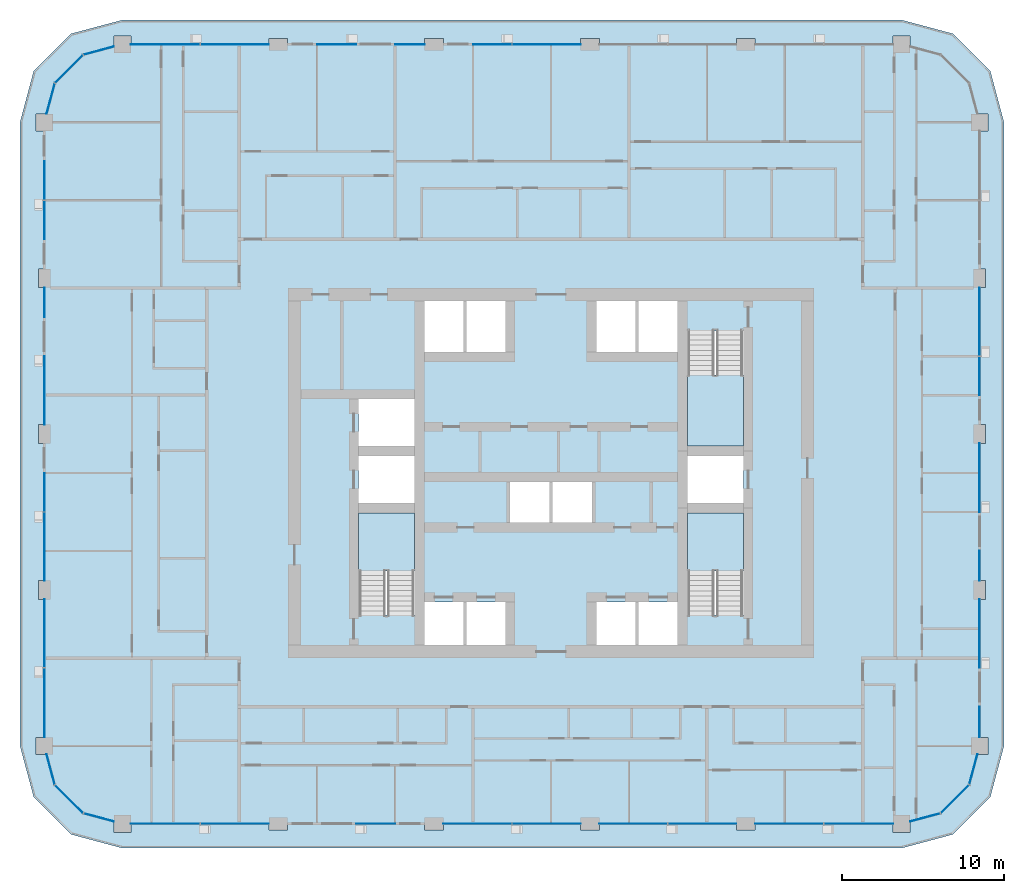
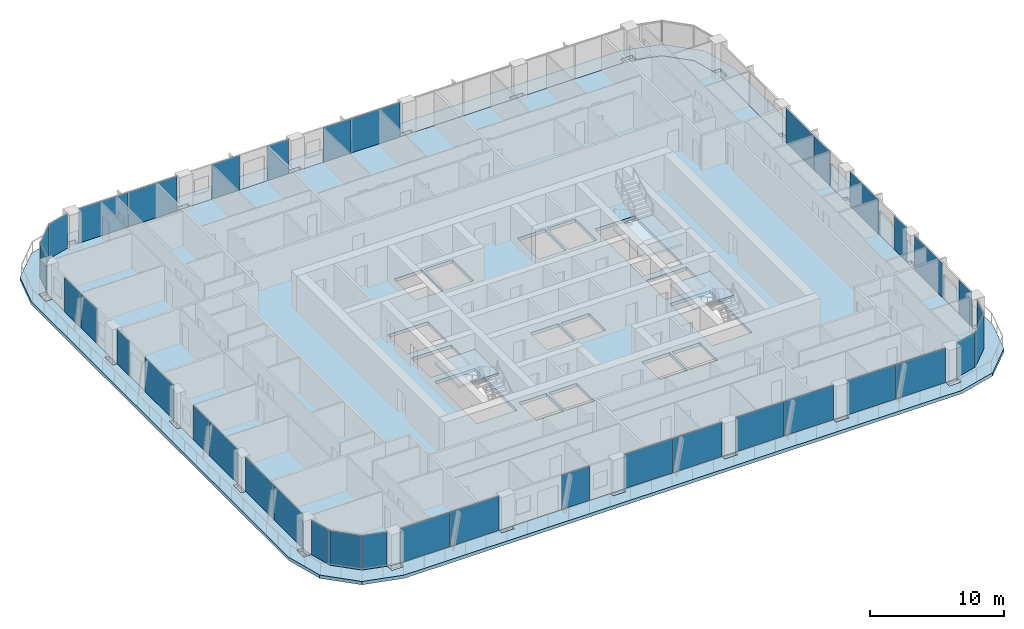
# One storey, part 7 of 22: 38 plates, 5 slabs, 21 elements without a shape of their own.
"""IFC4 building model written with IfcOpenShell, lengths in metres."""

import ifcopenshell
import ifcopenshell.guid

model = None  # the IFC model being written
_history = None  # IfcOwnerHistory: only IFC2X3 demands one
_inside = {}  # id of a spatial element -> (the spatial element, [elements in it])
_under = {}  # id of a project, library or spatial element -> (it, [spatial elements below it])
_declared = {}  # id of a project -> (the project, [libraries it declares])
_typed = {}  # id of a type object -> (the type object, [elements of that type])
_made_of = {}  # id of a material, layer set ... -> (it, [elements and type objects made of it])


def new_model(schema):
    """Start an empty IFC model of exactly this schema.

    Asked for "IFC4X3", IfcOpenShell would pick the latest addendum, in which some entities
    have other attributes; the version numbers below select the first issue.
    IFC2X3 requires an IfcOwnerHistory on every rooted entity: one is made here for all.
    """
    global model, _history
    if schema == "IFC4X3":
        model = ifcopenshell.file(schema_version=(4, 3, 0, 0))
    else:
        model = ifcopenshell.file(schema=schema)
    _inside.clear()
    _under.clear()
    _declared.clear()
    _typed.clear()
    _made_of.clear()
    _history = None
    if model.schema == "IFC2X3":
        org = make("IfcOrganization", Name="unknown")
        user = make(
            "IfcPersonAndOrganization",
            ThePerson=make("IfcPerson", FamilyName="unknown"),
            TheOrganization=org,
        )
        app = make(
            "IfcApplication",
            ApplicationDeveloper=org,
            Version="unknown",
            ApplicationFullName="unknown",
            ApplicationIdentifier="unknown",
        )
        _history = make(
            "IfcOwnerHistory",
            OwningUser=user,
            OwningApplication=app,
            ChangeAction="ADDED",
            CreationDate=0,
        )
    return model


def make(cls, **values):
    """One entity of the class cls with the attributes given. An attribute that is None is left unset."""
    return model.create_entity(
        cls, **{name: value for name, value in values.items() if value is not None}
    )


def rooted(cls, **values):
    """An entity with a GlobalId (a new one), such as an element, a storey or a relation."""
    return make(cls, GlobalId=ifcopenshell.guid.new(), OwnerHistory=_history, **values)


def si_unit(unit_type, name, prefix=None):
    """IfcSIUnit, for example si_unit("LENGTHUNIT", "METRE", prefix="MILLI")."""
    return make("IfcSIUnit", UnitType=unit_type, Prefix=prefix, Name=name)


def assignment(units):
    """IfcUnitAssignment: the units of a project."""
    return None if units is None else make("IfcUnitAssignment", Units=units)


def point(xyz):
    """IfcCartesianPoint."""
    return None if xyz is None else make("IfcCartesianPoint", Coordinates=xyz)


def direction(xyz):
    """IfcDirection."""
    return None if xyz is None else make("IfcDirection", DirectionRatios=xyz)


def frame(location, z_axis=None, x_axis=None):
    """IfcAxis2Placement3D, a coordinate frame: its origin and axes. An axis left out is left unset."""
    return make(
        "IfcAxis2Placement3D",
        Location=point(location),
        Axis=direction(z_axis),
        RefDirection=direction(x_axis),
    )


def frame_2d(location, x_axis=None):
    """IfcAxis2Placement2D, a coordinate frame in the plane: its origin and x axis."""
    return make(
        "IfcAxis2Placement2D", Location=point(location), RefDirection=direction(x_axis)
    )


def origin():
    """The frame at (0, 0, 0) with its axes left unset."""
    return frame((0.0, 0.0, 0.0))


def origin_2d():
    """The frame at (0, 0) in the plane with its x axis left unset."""
    return frame_2d((0.0, 0.0))


def place(relative_to, where):
    """IfcLocalPlacement: puts the frame where relative to a parent placement (None: the world)."""
    return make(
        "IfcLocalPlacement", PlacementRelTo=relative_to, RelativePlacement=where
    )


def context(
    kind, dimensions, precision=None, world=None, true_north=None, identifier=None
):
    """IfcGeometricRepresentationContext, for example the 3D "Model" context."""
    return make(
        "IfcGeometricRepresentationContext",
        ContextIdentifier=identifier,
        ContextType=kind,
        CoordinateSpaceDimension=dimensions,
        Precision=precision,
        WorldCoordinateSystem=world,
        TrueNorth=true_north,
    )


def subcontext(parent, identifier, kind, view, scale=None):
    """IfcGeometricRepresentationSubContext, for example "Body" below "Model"."""
    return make(
        "IfcGeometricRepresentationSubContext",
        ContextIdentifier=identifier,
        ContextType=kind,
        ParentContext=parent,
        TargetScale=scale,
        TargetView=view,
    )


def project(units=None, contexts=None):
    """IfcProject with its units and contexts."""
    return rooted(
        "IfcProject",
        Name="project",
        RepresentationContexts=contexts,
        UnitsInContext=assignment(units),
    )


def spatial(cls, under=None, at=None, **own):
    """A site, building, storey or space (cls), placed at a placement, below another one or the project."""
    s = rooted(cls, ObjectPlacement=at, **own)
    if under is not None:
        _under.setdefault(under.id(), (under, []))[1].append(s)
    return s


def polyline(points):
    """IfcPolyline through the points."""
    return make("IfcPolyline", Points=[point(p) for p in points])


def profile(cls, at=None, kind="AREA", **sizes):
    """A parametric profile (cls). Its sizes go by their IFC names, for example OverallWidth=200.0."""
    return make(cls, ProfileType=kind, Position=at, **sizes)


def rectangle(**sizes):
    """IfcRectangleProfileDef."""
    return profile("IfcRectangleProfileDef", **sizes)


def outline(outer, holes=None, kind="AREA"):
    """IfcArbitraryClosedProfileDef: a profile drawn as a closed curve; with holes, ...WithVoids."""
    if holes is None:
        return make("IfcArbitraryClosedProfileDef", ProfileType=kind, OuterCurve=outer)
    return make(
        "IfcArbitraryProfileDefWithVoids",
        ProfileType=kind,
        OuterCurve=outer,
        InnerCurves=holes,
    )


def extrude(swept, where, along, depth):
    """IfcExtrudedAreaSolid: the profile swept, set in the frame where, extruded along a direction by depth."""
    return make(
        "IfcExtrudedAreaSolid",
        SweptArea=swept,
        Position=where,
        ExtrudedDirection=direction(along),
        Depth=depth,
    )


def shape(context_of_items, identifier, shape_type, items):
    """IfcShapeRepresentation: the items that make up one representation, for example the "Body"."""
    return make(
        "IfcShapeRepresentation",
        ContextOfItems=context_of_items,
        RepresentationIdentifier=identifier,
        RepresentationType=shape_type,
        Items=items,
    )


def material(Name=None, Category=None):
    """IfcMaterial."""
    return make("IfcMaterial", Name=Name, Category=Category)


def layer(
    of_material, thickness, ventilated=None, Name=None, Category=None, Priority=None
):
    """IfcMaterialLayer: one layer of a wall or slab, of a material (None: an air gap)."""
    return make(
        "IfcMaterialLayer",
        Material=of_material,
        LayerThickness=thickness,
        IsVentilated=ventilated,
        Name=Name,
        Category=Category,
        Priority=Priority,
    )


def layer_set(layers, Name=None):
    """IfcMaterialLayerSet."""
    return make("IfcMaterialLayerSet", MaterialLayers=layers, LayerSetName=Name)


def made_of(thing, what):
    """Note that an element or type object is made of a material, layer set ...; save() writes the relation."""
    if what is not None:
        _made_of.setdefault(what.id(), (what, []))[1].append(thing)
    return thing


def type_object(cls, material=None, **own):
    """A type object (cls), such as IfcWallType, which elements share."""
    return made_of(rooted(cls, **own), material)


def element(
    cls,
    number,
    at=None,
    inside=None,
    cuts=None,
    type_object=None,
    material=None,
    context=None,
    identifier="Body",
    shape_type=None,
    held_by="IfcProductDefinitionShape",
    body=None,
    shapes=None,
    **own,
):
    """One element of the class cls, such as IfcWall. Its Tag is "e" and its number.

    at: its placement. inside: the storey or other place that contains it. cuts: it is an
    opening in that element (IfcRelVoidsElement). A single representation is given by context,
    identifier, shape_type and body (its items); several are given by shapes. held_by: the class
    of the entity that holds the representations. save() writes the other relations.
    """
    e = rooted(cls, Tag="e%d" % number, ObjectPlacement=at, **own)
    if body is not None:
        shapes = [shape(context, identifier, shape_type, body)]
    if shapes is not None:
        e.Representation = make(held_by, Representations=shapes)
    if inside is not None:
        _inside.setdefault(inside.id(), (inside, []))[1].append(e)
    if cuts is not None:
        rooted(
            "IfcRelVoidsElement", RelatingBuildingElement=cuts, RelatedOpeningElement=e
        )
    if type_object is not None:
        _typed.setdefault(type_object.id(), (type_object, []))[1].append(e)
    return made_of(e, material)


def aggregate(whole, parts):
    """IfcRelAggregates: a whole, such as a stair, and the parts it consists of."""
    return rooted("IfcRelAggregates", RelatingObject=whole, RelatedObjects=parts)


def save(model, path):
    """Write the relations noted so far, then the file.

    IfcRelAggregates (storeys below a building ...), IfcRelContainedInSpatialStructure (elements
    in a storey), IfcRelDefinesByType, IfcRelAssociatesMaterial and IfcRelDeclares: one each for
    every whole, place, type object, material and project.
    """
    for whole, parts in _under.values():
        aggregate(whole, parts)
    for where, things in _inside.values():
        rooted(
            "IfcRelContainedInSpatialStructure",
            RelatedElements=things,
            RelatingStructure=where,
        )
    for kind, things in _typed.values():
        rooted("IfcRelDefinesByType", RelatedObjects=things, RelatingType=kind)
    for what, things in _made_of.values():
        rooted("IfcRelAssociatesMaterial", RelatedObjects=things, RelatingMaterial=what)
    for by, libraries in _declared.values():
        rooted("IfcRelDeclares", RelatingContext=by, RelatedDefinitions=libraries)
    model.write(path)


model = new_model("IFC4")

# Units and contexts
model_context = context("Model", 3, precision=1e-05, world=origin(), true_north=direction((0.0, 1.0)))
body_context = subcontext(model_context, "Body", "Model", "MODEL_VIEW")
ifc_project = project(units=[si_unit("LENGTHUNIT", "METRE"), si_unit("AREAUNIT", "SQUARE_METRE"), si_unit("VOLUMEUNIT", "CUBIC_METRE"), si_unit("PLANEANGLEUNIT", "RADIAN"), si_unit("MASSUNIT", "GRAM", prefix="KILO")], contexts=[model_context])

# Site, building, storey
site_placement = place(None, origin())
site = spatial("IfcSite", under=ifc_project, at=site_placement, CompositionType="ELEMENT")
building_placement = place(site_placement, origin())
building = spatial("IfcBuilding", under=site, at=building_placement, Name="Madar Terraces", CompositionType="ELEMENT")
storey_placement = place(building_placement, frame((0.0, 0.0, 136.60009765625)))
storey = spatial("IfcBuildingStorey", under=building, at=storey_placement, Name="L35", CompositionType="ELEMENT", Elevation=136.60009765625)

# Slabs
ifc_material_1 = material(Name="Concrete C50/60", Category="concrete")
ifc_layer_1 = layer(ifc_material_1, 0.300048828125)
ifc_layer_set_1 = layer_set([ifc_layer_1], Name="Balcony band 300")
slab_type_1 = type_object("IfcSlabType", Name="Balcony band 300", PredefinedType="FLOOR", material=ifc_layer_set_1)
slab_1_placement = place(storey_placement, frame((0.0, 0.0, -0.300048828125)))
element("IfcSlab", 1, at=slab_1_placement, inside=storey, type_object=slab_type_1, Name="Balcony band", PredefinedType="FLOOR", context=body_context, shape_type="SweptSolid", body=[
    extrude(outline(polyline([(4.800048828125, 3.300048828125), (1.64990234375, 4.14404296875), (-0.656005859375, 6.449951171875), (-1.5, 9.60009765625), (-1.5, 48.0), (-0.656005859375, 51.14990234375), (1.64990234375, 53.4560546875), (4.800048828125, 54.300048828125), (52.800048828125, 54.300048828125), (55.949951171875, 53.4560546875), (58.256103515625, 51.14990234375), (59.10009765625, 48.0), (59.10009765625, 9.60009765625), (58.256103515625, 6.449951171875), (55.949951171875, 4.14404296875), (52.800048828125, 3.300048828125), (4.800048828125, 3.300048828125)]), holes=[polyline([(5.324951171875, 4.27490234375), (5.324951171875, 4.800048828125), (13.824951171875, 4.800048828125), (13.824951171875, 4.425048828125), (14.97509765625, 4.425048828125), (14.97509765625, 4.800048828125), (23.425048828125, 4.800048828125), (23.425048828125, 4.425048828125), (24.574951171875, 4.425048828125), (24.574951171875, 4.800048828125), (33.02490234375, 4.800048828125), (33.02490234375, 4.425048828125), (34.175048828125, 4.425048828125), (34.175048828125, 4.800048828125), (42.625, 4.800048828125), (42.625, 4.425048828125), (43.77490234375, 4.425048828125), (43.77490234375, 4.800048828125), (52.27490234375, 4.800048828125), (52.27490234375, 4.27490234375), (53.324951171875, 4.27490234375), (53.324951171875, 4.940673828125), (55.199951171875, 5.443115234375), (56.956787109375, 7.199951171875), (57.459228515625, 9.074951171875), (58.125, 9.074951171875), (58.125, 10.125), (57.60009765625, 10.125), (57.60009765625, 18.625), (57.97509765625, 18.625), (57.97509765625, 19.77490234375), (57.60009765625, 19.77490234375), (57.60009765625, 28.22509765625), (57.97509765625, 28.22509765625), (57.97509765625, 29.375), (57.60009765625, 29.375), (57.60009765625, 37.824951171875), (57.97509765625, 37.824951171875), (57.97509765625, 38.97509765625), (57.60009765625, 38.97509765625), (57.60009765625, 47.47509765625), (58.125, 47.47509765625), (58.125, 48.52490234375), (57.459228515625, 48.52490234375), (56.956787109375, 50.39990234375), (55.199951171875, 52.156982421875), (53.324951171875, 52.6591796875), (53.324951171875, 53.324951171875), (52.27490234375, 53.324951171875), (52.27490234375, 52.800048828125), (43.77490234375, 52.800048828125), (43.77490234375, 53.175048828125), (42.625, 53.175048828125), (42.625, 52.800048828125), (34.175048828125, 52.800048828125), (34.175048828125, 53.175048828125), (33.02490234375, 53.175048828125), (33.02490234375, 52.800048828125), (24.574951171875, 52.800048828125), (24.574951171875, 53.175048828125), (23.425048828125, 53.175048828125), (23.425048828125, 52.800048828125), (14.97509765625, 52.800048828125), (14.97509765625, 53.175048828125), (13.824951171875, 53.175048828125), (13.824951171875, 52.800048828125), (5.324951171875, 52.800048828125), (5.324951171875, 53.324951171875), (4.27490234375, 53.324951171875), (4.27490234375, 52.6591796875), (2.39990234375, 52.156982421875), (0.64306640625, 50.39990234375), (0.140625, 48.52490234375), (-0.52490234375, 48.52490234375), (-0.52490234375, 47.47509765625), (0.0, 47.47509765625), (0.0, 38.97509765625), (-0.375, 38.97509765625), (-0.375, 37.824951171875), (0.0, 37.824951171875), (0.0, 29.375), (-0.375, 29.375), (-0.375, 28.22509765625), (0.0, 28.22509765625), (0.0, 19.77490234375), (-0.375, 19.77490234375), (-0.375, 18.625), (0.0, 18.625), (0.0, 10.125), (-0.52490234375, 10.125), (-0.52490234375, 9.074951171875), (0.140625, 9.074951171875), (0.64306640625, 7.199951171875), (2.39990234375, 5.443115234375), (4.27490234375, 4.940673828125), (4.27490234375, 4.27490234375), (5.324951171875, 4.27490234375)])]), origin(), (0.0, 0.0, 1.0), 0.300048828125),
])
ifc_material_2 = material(Name="Concrete C50/60", Category="concrete")
ifc_layer_2 = layer(ifc_material_2, 0.300048828125)
ifc_layer_set_2 = layer_set([ifc_layer_2], Name="FS2 PT flat slab 300")
slab_type_2 = type_object("IfcSlabType", Name="FS2 PT flat slab 300", PredefinedType="FLOOR", material=ifc_layer_set_2)
slab_2_placement = place(storey_placement, frame((0.0, 0.0, -0.300048828125)))
element("IfcSlab", 2, at=slab_2_placement, inside=storey, type_object=slab_type_2, Name="Floor slab L35 (1)", PredefinedType="FLOOR", context=body_context, shape_type="SweptSolid", body=[
    extrude(outline(polyline([(52.800048828125, 4.800048828125), (55.199951171875, 5.443115234375), (56.95703125, 7.199951171875), (57.60009765625, 9.60009765625), (57.60009765625, 48.0), (56.95703125, 50.39990234375), (55.199951171875, 52.156982421875), (52.800048828125, 52.800048828125), (4.800048828125, 52.800048828125), (2.39990234375, 52.156982421875), (0.64306640625, 50.39990234375), (0.0, 48.0), (0.0, 9.60009765625), (0.64306640625, 7.199951171875), (2.39990234375, 5.443115234375), (4.800048828125, 4.800048828125), (52.800048828125, 4.800048828125)]), holes=[polyline([(23.39990234375, 15.800048828125), (23.39990234375, 18.449951171875), (25.800048828125, 18.449951171875), (25.800048828125, 15.800048828125), (23.39990234375, 15.800048828125)]), polyline([(26.0, 15.800048828125), (26.0, 18.449951171875), (28.39990234375, 18.449951171875), (28.39990234375, 15.800048828125), (26.0, 15.800048828125)]), polyline([(19.35009765625, 17.64990234375), (19.35009765625, 23.949951171875), (22.800048828125, 23.949951171875), (22.800048828125, 17.64990234375), (19.35009765625, 17.64990234375)]), polyline([(28.666748046875, 23.35009765625), (28.666748046875, 25.85009765625), (31.10009765625, 25.85009765625), (31.10009765625, 23.35009765625), (28.666748046875, 23.35009765625)]), polyline([(19.35009765625, 24.550048828125), (19.35009765625, 27.449951171875), (22.800048828125, 27.449951171875), (22.800048828125, 24.550048828125), (19.35009765625, 24.550048828125)]), polyline([(19.35009765625, 28.050048828125), (19.35009765625, 30.949951171875), (22.800048828125, 30.949951171875), (22.800048828125, 28.050048828125), (19.35009765625, 28.050048828125)]), polyline([(23.39990234375, 33.85009765625), (23.39990234375, 37.0), (25.800048828125, 37.0), (25.800048828125, 33.85009765625), (23.39990234375, 33.85009765625)]), polyline([(26.0, 33.85009765625), (26.0, 37.0), (28.39990234375, 37.0), (28.39990234375, 33.85009765625), (26.0, 33.85009765625)]), polyline([(34.0, 15.800048828125), (34.0, 18.449951171875), (36.39990234375, 18.449951171875), (36.39990234375, 15.800048828125), (34.0, 15.800048828125)]), polyline([(36.60009765625, 15.800048828125), (36.60009765625, 18.449951171875), (39.0, 18.449951171875), (39.0, 15.800048828125), (36.60009765625, 15.800048828125)]), polyline([(39.60009765625, 17.64990234375), (39.60009765625, 23.949951171875), (43.050048828125, 23.949951171875), (43.050048828125, 17.64990234375), (39.60009765625, 17.64990234375)]), polyline([(31.300048828125, 23.35009765625), (31.300048828125, 25.85009765625), (33.7333984375, 25.85009765625), (33.7333984375, 23.35009765625), (31.300048828125, 23.35009765625)]), polyline([(39.60009765625, 24.550048828125), (39.60009765625, 27.449951171875), (43.050048828125, 27.449951171875), (43.050048828125, 24.550048828125), (39.60009765625, 24.550048828125)]), polyline([(39.60009765625, 28.050048828125), (39.60009765625, 35.14990234375), (43.050048828125, 35.14990234375), (43.050048828125, 28.050048828125), (39.60009765625, 28.050048828125)]), polyline([(34.0, 33.85009765625), (34.0, 37.0), (36.39990234375, 37.0), (36.39990234375, 33.85009765625), (34.0, 33.85009765625)]), polyline([(36.60009765625, 33.85009765625), (36.60009765625, 37.0), (39.0, 37.0), (39.0, 33.85009765625), (36.60009765625, 33.85009765625)])]), origin(), (0.0, 0.0, 1.0), 0.300048828125),
])

# Curtain wall, plates
ifc_material_3 = material(Name="Glass, ceramic frit dark grey, with black aluminium frame", Category="aluminium")
ifc_layer_3 = layer(ifc_material_3, 0.199951171875)
ifc_layer_set_3 = layer_set([ifc_layer_3], Name="Facade curtain wall, fritted glass")
curtain_wall_type = type_object("IfcCurtainWallType", Name="Facade curtain wall, fritted glass", PredefinedType="NOTDEFINED", material=ifc_layer_set_3)
curtain_wall_1_placement = place(storey_placement, origin())
curtain_wall_1 = element("IfcCurtainWall", 3, at=curtain_wall_1_placement, inside=storey, type_object=curtain_wall_type, Name="Outer skin curtain wall south bay 1", PredefinedType="NOTDEFINED")
ifc_material_4 = material(Name="Glass, ceramic frit dark grey", Category="glass")
ifc_layer_4 = layer(ifc_material_4, 0.028076171875)
ifc_layer_set_4 = layer_set([ifc_layer_4], Name="Facade glass panel 28")
plate_type = type_object("IfcPlateType", Name="Facade glass panel 28", PredefinedType="CURTAIN_PANEL", material=ifc_layer_set_4)
plate_1_placement = place(storey_placement, frame((7.447509765625, 4.800048828125, 0.0), z_axis=(0.0, 0.0, 1.0), x_axis=(1.0, 0.0, 0.0)))
plate_1 = element("IfcPlate", 4, at=plate_1_placement, type_object=plate_type, Name="Panel 1", PredefinedType="CURTAIN_PANEL", context=body_context, shape_type="SweptSolid", body=[
    extrude(rectangle(XDim=4.2451171875, YDim=0.028076171875, at=origin_2d()), origin(), (0.0, 0.0, 1.0), 3.139892578125),
])
plate_2_placement = place(storey_placement, frame((11.7275390625, 4.800048828125, 0.0), z_axis=(0.0, 0.0, 1.0), x_axis=(1.0, 0.0, 0.0)))
plate_2 = element("IfcPlate", 5, at=plate_2_placement, type_object=plate_type, Name="Panel 2", PredefinedType="CURTAIN_PANEL", context=body_context, shape_type="SweptSolid", body=[
    extrude(rectangle(XDim=4.195068359375, YDim=0.028076171875, at=origin_2d()), origin(), (0.0, 0.0, 1.0), 3.139892578125),
])
aggregate(curtain_wall_1, [plate_1, plate_2])

# Curtain wall, plate
curtain_wall_2_placement = place(storey_placement, origin())
curtain_wall_2 = element("IfcCurtainWall", 6, at=curtain_wall_2_placement, inside=storey, type_object=curtain_wall_type, Name="Outer skin curtain wall south bay 2", PredefinedType="NOTDEFINED")
plate_3_placement = place(storey_placement, frame((20.39990234375, 4.800048828125, 0.0), z_axis=(0.0, 0.0, 1.0), x_axis=(1.0, 0.0, 0.0)))
plate_3 = element("IfcPlate", 7, at=plate_3_placement, type_object=plate_type, Name="Panel 1", PredefinedType="CURTAIN_PANEL", context=body_context, shape_type="SweptSolid", body=[
    extrude(rectangle(XDim=2.39990234375, YDim=0.028076171875, at=origin_2d()), origin(), (0.0, 0.0, 1.0), 3.139892578125),
])
aggregate(curtain_wall_2, [plate_3])

# Curtain wall, plates
curtain_wall_3_placement = place(storey_placement, origin())
curtain_wall_3 = element("IfcCurtainWall", 8, at=curtain_wall_3_placement, inside=storey, type_object=curtain_wall_type, Name="Outer skin curtain wall south bay 3", PredefinedType="NOTDEFINED")
plate_4_placement = place(storey_placement, frame((26.672607421875, 4.800048828125, 0.0), z_axis=(0.0, 0.0, 1.0), x_axis=(1.0, 0.0, 0.0)))
plate_4 = element("IfcPlate", 9, at=plate_4_placement, type_object=plate_type, Name="Panel 1", PredefinedType="CURTAIN_PANEL", context=body_context, shape_type="SweptSolid", body=[
    extrude(rectangle(XDim=4.195068359375, YDim=0.028076171875, at=origin_2d()), origin(), (0.0, 0.0, 1.0), 3.139892578125),
])
plate_5_placement = place(storey_placement, frame((30.927490234375, 4.800048828125, 0.0), z_axis=(0.0, 0.0, 1.0), x_axis=(1.0, 0.0, 0.0)))
plate_5 = element("IfcPlate", 10, at=plate_5_placement, type_object=plate_type, Name="Panel 2", PredefinedType="CURTAIN_PANEL", context=body_context, shape_type="SweptSolid", body=[
    extrude(rectangle(XDim=4.195068359375, YDim=0.028076171875, at=origin_2d()), origin(), (0.0, 0.0, 1.0), 3.139892578125),
])
aggregate(curtain_wall_3, [plate_4, plate_5])

curtain_wall_4_placement = place(storey_placement, origin())
curtain_wall_4 = element("IfcCurtainWall", 11, at=curtain_wall_4_placement, inside=storey, type_object=curtain_wall_type, Name="Outer skin curtain wall south bay 4", PredefinedType="NOTDEFINED")
plate_6_placement = place(storey_placement, frame((36.2724609375, 4.800048828125, 0.0), z_axis=(0.0, 0.0, 1.0), x_axis=(1.0, 0.0, 0.0)))
plate_6 = element("IfcPlate", 12, at=plate_6_placement, type_object=plate_type, Name="Panel 1", PredefinedType="CURTAIN_PANEL", context=body_context, shape_type="SweptSolid", body=[
    extrude(rectangle(XDim=4.195068359375, YDim=0.028076171875, at=origin_2d()), origin(), (0.0, 0.0, 1.0), 3.139892578125),
])
plate_7_placement = place(storey_placement, frame((40.527587890625, 4.800048828125, 0.0), z_axis=(0.0, 0.0, 1.0), x_axis=(1.0, 0.0, 0.0)))
plate_7 = element("IfcPlate", 13, at=plate_7_placement, type_object=plate_type, Name="Panel 2", PredefinedType="CURTAIN_PANEL", context=body_context, shape_type="SweptSolid", body=[
    extrude(rectangle(XDim=4.195068359375, YDim=0.028076171875, at=origin_2d()), origin(), (0.0, 0.0, 1.0), 3.139892578125),
])
aggregate(curtain_wall_4, [plate_6, plate_7])

curtain_wall_5_placement = place(storey_placement, origin())
curtain_wall_5 = element("IfcCurtainWall", 14, at=curtain_wall_5_placement, inside=storey, type_object=curtain_wall_type, Name="Outer skin curtain wall south bay 5", PredefinedType="NOTDEFINED")
plate_8_placement = place(storey_placement, frame((45.87255859375, 4.800048828125, 0.0), z_axis=(0.0, 0.0, 1.0), x_axis=(1.0, 0.0, 0.0)))
plate_8 = element("IfcPlate", 15, at=plate_8_placement, type_object=plate_type, Name="Panel 1", PredefinedType="CURTAIN_PANEL", context=body_context, shape_type="SweptSolid", body=[
    extrude(rectangle(XDim=4.195068359375, YDim=0.028076171875, at=origin_2d()), origin(), (0.0, 0.0, 1.0), 3.139892578125),
])
plate_9_placement = place(storey_placement, frame((50.152587890625, 4.800048828125, 0.0), z_axis=(0.0, 0.0, 1.0), x_axis=(1.0, 0.0, 0.0)))
plate_9 = element("IfcPlate", 16, at=plate_9_placement, type_object=plate_type, Name="Panel 2", PredefinedType="CURTAIN_PANEL", context=body_context, shape_type="SweptSolid", body=[
    extrude(rectangle(XDim=4.2451171875, YDim=0.028076171875, at=origin_2d()), origin(), (0.0, 0.0, 1.0), 3.139892578125),
])
aggregate(curtain_wall_5, [plate_8, plate_9])

curtain_wall_6_placement = place(storey_placement, origin())
curtain_wall_6 = element("IfcCurtainWall", 17, at=curtain_wall_6_placement, inside=storey, type_object=curtain_wall_type, Name="Outer skin curtain wall east bay 1", PredefinedType="NOTDEFINED")
plate_10_placement = place(storey_placement, frame((57.60009765625, 11.0625, 0.0), z_axis=(0.0, 0.0, 1.0), x_axis=(0.0, 1.0, 0.0)))
plate_10 = element("IfcPlate", 18, at=plate_10_placement, type_object=plate_type, Name="Panel 1", PredefinedType="CURTAIN_PANEL", context=body_context, shape_type="SweptSolid", body=[
    extrude(rectangle(XDim=1.875, YDim=0.028076171875, at=origin_2d()), origin(), (0.0, 0.0, 1.0), 3.139892578125),
])
plate_11_placement = place(storey_placement, frame((57.60009765625, 16.512451171875, 0.0), z_axis=(0.0, 0.0, 1.0), x_axis=(0.0, 1.0, 0.0)))
plate_11 = element("IfcPlate", 19, at=plate_11_placement, type_object=plate_type, Name="Panel 2", PredefinedType="CURTAIN_PANEL", context=body_context, shape_type="SweptSolid", body=[
    extrude(rectangle(XDim=4.22509765625, YDim=0.028076171875, at=origin_2d()), origin(), (0.0, 0.0, 1.0), 3.139892578125),
])
aggregate(curtain_wall_6, [plate_10, plate_11])

curtain_wall_7_placement = place(storey_placement, origin())
curtain_wall_7 = element("IfcCurtainWall", 20, at=curtain_wall_7_placement, inside=storey, type_object=curtain_wall_type, Name="Outer skin curtain wall east bay 2", PredefinedType="NOTDEFINED")
plate_12_placement = place(storey_placement, frame((57.60009765625, 20.6875, 0.0), z_axis=(0.0, 0.0, 1.0), x_axis=(0.0, 1.0, 0.0)))
plate_12 = element("IfcPlate", 21, at=plate_12_placement, type_object=plate_type, Name="Panel 1", PredefinedType="CURTAIN_PANEL", context=body_context, shape_type="SweptSolid", body=[
    extrude(rectangle(XDim=1.824951171875, YDim=0.028076171875, at=origin_2d()), origin(), (0.0, 0.0, 1.0), 3.139892578125),
])
plate_13_placement = place(storey_placement, frame((57.60009765625, 26.112548828125, 0.0), z_axis=(0.0, 0.0, 1.0), x_axis=(0.0, 1.0, 0.0)))
plate_13 = element("IfcPlate", 22, at=plate_13_placement, type_object=plate_type, Name="Panel 2", PredefinedType="CURTAIN_PANEL", context=body_context, shape_type="SweptSolid", body=[
    extrude(rectangle(XDim=4.22509765625, YDim=0.028076171875, at=origin_2d()), origin(), (0.0, 0.0, 1.0), 3.139892578125),
])
aggregate(curtain_wall_7, [plate_12, plate_13])

curtain_wall_8_placement = place(storey_placement, origin())
curtain_wall_8 = element("IfcCurtainWall", 23, at=curtain_wall_8_placement, inside=storey, type_object=curtain_wall_type, Name="Outer skin curtain wall east bay 3", PredefinedType="NOTDEFINED")
plate_14_placement = place(storey_placement, frame((57.60009765625, 32.385009765625, 0.0), z_axis=(0.0, 0.0, 1.0), x_axis=(0.0, 1.0, 0.0)))
plate_14 = element("IfcPlate", 24, at=plate_14_placement, type_object=plate_type, Name="Panel 1", PredefinedType="CURTAIN_PANEL", context=body_context, shape_type="SweptSolid", body=[
    extrude(rectangle(XDim=2.3701171875, YDim=0.028076171875, at=origin_2d()), origin(), (0.0, 0.0, 1.0), 3.139892578125),
])
plate_15_placement = place(storey_placement, frame((57.60009765625, 35.7275390625, 0.0), z_axis=(0.0, 0.0, 1.0), x_axis=(0.0, 1.0, 0.0)))
plate_15 = element("IfcPlate", 25, at=plate_15_placement, type_object=plate_type, Name="Panel 2", PredefinedType="CURTAIN_PANEL", context=body_context, shape_type="SweptSolid", body=[
    extrude(rectangle(XDim=4.195068359375, YDim=0.028076171875, at=origin_2d()), origin(), (0.0, 0.0, 1.0), 3.139892578125),
])
aggregate(curtain_wall_8, [plate_14, plate_15])

curtain_wall_9_placement = place(storey_placement, origin())
curtain_wall_9 = element("IfcCurtainWall", 26, at=curtain_wall_9_placement, inside=storey, type_object=curtain_wall_type, Name="Outer skin curtain wall north bay 3", PredefinedType="NOTDEFINED")
plate_16_placement = place(storey_placement, frame((30.927490234375, 52.800048828125, 0.0), z_axis=(0.0, 0.0, 1.0), x_axis=(-1.0, 0.0, 0.0)))
plate_16 = element("IfcPlate", 27, at=plate_16_placement, type_object=plate_type, Name="Panel 1", PredefinedType="CURTAIN_PANEL", context=body_context, shape_type="SweptSolid", body=[
    extrude(rectangle(XDim=4.195068359375, YDim=0.028076171875, at=origin_2d()), origin(), (0.0, 0.0, 1.0), 3.139892578125),
])
plate_17_placement = place(storey_placement, frame((27.5849609375, 52.800048828125, 0.0), z_axis=(0.0, 0.0, 1.0), x_axis=(-1.0, 0.0, 0.0)))
plate_17 = element("IfcPlate", 28, at=plate_17_placement, type_object=plate_type, Name="Panel 2", PredefinedType="CURTAIN_PANEL", context=body_context, shape_type="SweptSolid", body=[
    extrude(rectangle(XDim=2.3701171875, YDim=0.028076171875, at=origin_2d()), origin(), (0.0, 0.0, 1.0), 3.139892578125),
])
aggregate(curtain_wall_9, [plate_16, plate_17])

curtain_wall_10_placement = place(storey_placement, origin())
curtain_wall_10 = element("IfcCurtainWall", 29, at=curtain_wall_10_placement, inside=storey, type_object=curtain_wall_type, Name="Outer skin curtain wall north bay 4", PredefinedType="NOTDEFINED")
plate_18_placement = place(storey_placement, frame((22.512451171875, 52.800048828125, 0.0), z_axis=(0.0, 0.0, 1.0), x_axis=(-1.0, 0.0, 0.0)))
plate_18 = element("IfcPlate", 30, at=plate_18_placement, type_object=plate_type, Name="Panel 1", PredefinedType="CURTAIN_PANEL", context=body_context, shape_type="SweptSolid", body=[
    extrude(rectangle(XDim=1.824951171875, YDim=0.028076171875, at=origin_2d()), origin(), (0.0, 0.0, 1.0), 3.139892578125),
])
plate_19_placement = place(storey_placement, frame((18.0, 52.800048828125, 0.0), z_axis=(0.0, 0.0, 1.0), x_axis=(-1.0, 0.0, 0.0)))
plate_19 = element("IfcPlate", 31, at=plate_19_placement, type_object=plate_type, Name="Panel 2", PredefinedType="CURTAIN_PANEL", context=body_context, shape_type="SweptSolid", body=[
    extrude(rectangle(XDim=2.39990234375, YDim=0.028076171875, at=origin_2d()), origin(), (0.0, 0.0, 1.0), 3.139892578125),
])
aggregate(curtain_wall_10, [plate_18, plate_19])

curtain_wall_11_placement = place(storey_placement, origin())
curtain_wall_11 = element("IfcCurtainWall", 32, at=curtain_wall_11_placement, inside=storey, type_object=curtain_wall_type, Name="Outer skin curtain wall north bay 5", PredefinedType="NOTDEFINED")
plate_20_placement = place(storey_placement, frame((11.7275390625, 52.800048828125, 0.0), z_axis=(0.0, 0.0, 1.0), x_axis=(-1.0, 0.0, 0.0)))
plate_20 = element("IfcPlate", 33, at=plate_20_placement, type_object=plate_type, Name="Panel 1", PredefinedType="CURTAIN_PANEL", context=body_context, shape_type="SweptSolid", body=[
    extrude(rectangle(XDim=4.195068359375, YDim=0.028076171875, at=origin_2d()), origin(), (0.0, 0.0, 1.0), 3.139892578125),
])
plate_21_placement = place(storey_placement, frame((7.447509765625, 52.800048828125, 0.0), z_axis=(0.0, 0.0, 1.0), x_axis=(-1.0, 0.0, 0.0)))
plate_21 = element("IfcPlate", 34, at=plate_21_placement, type_object=plate_type, Name="Panel 2", PredefinedType="CURTAIN_PANEL", context=body_context, shape_type="SweptSolid", body=[
    extrude(rectangle(XDim=4.2451171875, YDim=0.028076171875, at=origin_2d()), origin(), (0.0, 0.0, 1.0), 3.139892578125),
])
aggregate(curtain_wall_11, [plate_20, plate_21])

curtain_wall_12_placement = place(storey_placement, origin())
curtain_wall_12 = element("IfcCurtainWall", 35, at=curtain_wall_12_placement, inside=storey, type_object=curtain_wall_type, Name="Outer skin curtain wall west bay 1", PredefinedType="NOTDEFINED")
plate_22_placement = place(storey_placement, frame((0.0, 44.4150390625, 0.0), z_axis=(0.0, 0.0, 1.0), x_axis=(0.0, -1.0, 0.0)))
plate_22 = element("IfcPlate", 36, at=plate_22_placement, type_object=plate_type, Name="Panel 1", PredefinedType="CURTAIN_PANEL", context=body_context, shape_type="SweptSolid", body=[
    extrude(rectangle(XDim=2.3701171875, YDim=0.028076171875, at=origin_2d()), origin(), (0.0, 0.0, 1.0), 3.139892578125),
])
plate_23_placement = place(storey_placement, frame((0.0, 41.985107421875, 0.0), z_axis=(0.0, 0.0, 1.0), x_axis=(0.0, -1.0, 0.0)))
plate_23 = element("IfcPlate", 37, at=plate_23_placement, type_object=plate_type, Name="Panel 2", PredefinedType="CURTAIN_PANEL", context=body_context, shape_type="SweptSolid", body=[
    extrude(rectangle(XDim=2.3701171875, YDim=0.028076171875, at=origin_2d()), origin(), (0.0, 0.0, 1.0), 3.139892578125),
])
aggregate(curtain_wall_12, [plate_22, plate_23])

curtain_wall_13_placement = place(storey_placement, origin())
curtain_wall_13 = element("IfcCurtainWall", 38, at=curtain_wall_13_placement, inside=storey, type_object=curtain_wall_type, Name="Outer skin curtain wall west bay 2", PredefinedType="NOTDEFINED")
plate_24_placement = place(storey_placement, frame((0.0, 36.91259765625, 0.0), z_axis=(0.0, 0.0, 1.0), x_axis=(0.0, -1.0, 0.0)))
plate_24 = element("IfcPlate", 39, at=plate_24_placement, type_object=plate_type, Name="Panel 1", PredefinedType="CURTAIN_PANEL", context=body_context, shape_type="SweptSolid", body=[
    extrude(rectangle(XDim=1.824951171875, YDim=0.028076171875, at=origin_2d()), origin(), (0.0, 0.0, 1.0), 3.139892578125),
])
plate_25_placement = place(storey_placement, frame((0.0, 31.487548828125, 0.0), z_axis=(0.0, 0.0, 1.0), x_axis=(0.0, -1.0, 0.0)))
plate_25 = element("IfcPlate", 40, at=plate_25_placement, type_object=plate_type, Name="Panel 2", PredefinedType="CURTAIN_PANEL", context=body_context, shape_type="SweptSolid", body=[
    extrude(rectangle(XDim=4.22509765625, YDim=0.028076171875, at=origin_2d()), origin(), (0.0, 0.0, 1.0), 3.139892578125),
])
aggregate(curtain_wall_13, [plate_24, plate_25])

curtain_wall_14_placement = place(storey_placement, origin())
curtain_wall_14 = element("IfcCurtainWall", 41, at=curtain_wall_14_placement, inside=storey, type_object=curtain_wall_type, Name="Outer skin curtain wall west bay 3", PredefinedType="NOTDEFINED")
plate_26_placement = place(storey_placement, frame((0.0, 25.215087890625, 0.0), z_axis=(0.0, 0.0, 1.0), x_axis=(0.0, -1.0, 0.0)))
plate_26 = element("IfcPlate", 42, at=plate_26_placement, type_object=plate_type, Name="Panel 1", PredefinedType="CURTAIN_PANEL", context=body_context, shape_type="SweptSolid", body=[
    extrude(rectangle(XDim=2.3701171875, YDim=0.028076171875, at=origin_2d()), origin(), (0.0, 0.0, 1.0), 3.139892578125),
])
plate_27_placement = place(storey_placement, frame((0.0, 21.87255859375, 0.0), z_axis=(0.0, 0.0, 1.0), x_axis=(0.0, -1.0, 0.0)))
plate_27 = element("IfcPlate", 43, at=plate_27_placement, type_object=plate_type, Name="Panel 2", PredefinedType="CURTAIN_PANEL", context=body_context, shape_type="SweptSolid", body=[
    extrude(rectangle(XDim=4.195068359375, YDim=0.028076171875, at=origin_2d()), origin(), (0.0, 0.0, 1.0), 3.139892578125),
])
aggregate(curtain_wall_14, [plate_26, plate_27])

curtain_wall_15_placement = place(storey_placement, origin())
curtain_wall_15 = element("IfcCurtainWall", 44, at=curtain_wall_15_placement, inside=storey, type_object=curtain_wall_type, Name="Outer skin curtain wall west bay 4", PredefinedType="NOTDEFINED")
plate_28_placement = place(storey_placement, frame((0.0, 16.527587890625, 0.0), z_axis=(0.0, 0.0, 1.0), x_axis=(0.0, -1.0, 0.0)))
plate_28 = element("IfcPlate", 45, at=plate_28_placement, type_object=plate_type, Name="Panel 1", PredefinedType="CURTAIN_PANEL", context=body_context, shape_type="SweptSolid", body=[
    extrude(rectangle(XDim=4.195068359375, YDim=0.028076171875, at=origin_2d()), origin(), (0.0, 0.0, 1.0), 3.139892578125),
])
plate_29_placement = place(storey_placement, frame((0.0, 12.24755859375, 0.0), z_axis=(0.0, 0.0, 1.0), x_axis=(0.0, -1.0, 0.0)))
plate_29 = element("IfcPlate", 46, at=plate_29_placement, type_object=plate_type, Name="Panel 2", PredefinedType="CURTAIN_PANEL", context=body_context, shape_type="SweptSolid", body=[
    extrude(rectangle(XDim=4.2451171875, YDim=0.028076171875, at=origin_2d()), origin(), (0.0, 0.0, 1.0), 3.139892578125),
])
aggregate(curtain_wall_15, [plate_28, plate_29])

curtain_wall_16_placement = place(storey_placement, origin())
curtain_wall_16 = element("IfcCurtainWall", 47, at=curtain_wall_16_placement, inside=storey, type_object=curtain_wall_type, Name="Outer skin curtain wall south-east corner", PredefinedType="NOTDEFINED")
plate_30_placement = place(storey_placement, frame((54.248046875, 5.18798828125, 0.0), z_axis=(0.0, 0.0, 1.0), x_axis=(0.965925832509, 0.258819021888, 0.0)))
plate_30 = element("IfcPlate", 48, at=plate_30_placement, type_object=plate_type, Name="Panel 1", PredefinedType="CURTAIN_PANEL", context=body_context, shape_type="SweptSolid", body=[
    extrude(rectangle(XDim=1.9111328125, YDim=0.028076171875, at=origin_2d()), origin(), (0.0, 0.0, 1.0), 3.139892578125),
])
plate_31_placement = place(storey_placement, frame((56.078369140625, 6.321533203125, 0.0), z_axis=(0.0, 0.0, 1.0), x_axis=(0.707106781187, 0.707106781187, 0.0)))
plate_31 = element("IfcPlate", 49, at=plate_31_placement, type_object=plate_type, Name="Panel 2", PredefinedType="CURTAIN_PANEL", context=body_context, shape_type="SweptSolid", body=[
    extrude(rectangle(XDim=2.424560546875, YDim=0.028076171875, at=origin_2d()), origin(), (0.0, 0.0, 1.0), 3.139892578125),
])
plate_32_placement = place(storey_placement, frame((57.2119140625, 8.152099609375, 0.0), z_axis=(0.0, 0.0, 1.0), x_axis=(0.258819021888, 0.965925832509, 0.0)))
plate_32 = element("IfcPlate", 50, at=plate_32_placement, type_object=plate_type, Name="Panel 3", PredefinedType="CURTAIN_PANEL", context=body_context, shape_type="SweptSolid", body=[
    extrude(rectangle(XDim=1.9111328125, YDim=0.028076171875, at=origin_2d()), origin(), (0.0, 0.0, 1.0), 3.139892578125),
])
aggregate(curtain_wall_16, [plate_30, plate_31, plate_32])

curtain_wall_17_placement = place(storey_placement, origin())
curtain_wall_17 = element("IfcCurtainWall", 51, at=curtain_wall_17_placement, inside=storey, type_object=curtain_wall_type, Name="Outer skin curtain wall north-west corner", PredefinedType="NOTDEFINED")
plate_33_placement = place(storey_placement, frame((3.35205078125, 52.412109375, 0.0), z_axis=(0.0, 0.0, 1.0), x_axis=(-0.965925832509, -0.258819021888, 0.0)))
plate_33 = element("IfcPlate", 52, at=plate_33_placement, type_object=plate_type, Name="Panel 1", PredefinedType="CURTAIN_PANEL", context=body_context, shape_type="SweptSolid", body=[
    extrude(rectangle(XDim=1.9111328125, YDim=0.028076171875, at=origin_2d()), origin(), (0.0, 0.0, 1.0), 3.139892578125),
])
plate_34_placement = place(storey_placement, frame((1.521484375, 51.278564453125, 0.0), z_axis=(0.0, 0.0, 1.0), x_axis=(-0.707106781187, -0.707106781187, 0.0)))
plate_34 = element("IfcPlate", 53, at=plate_34_placement, type_object=plate_type, Name="Panel 2", PredefinedType="CURTAIN_PANEL", context=body_context, shape_type="SweptSolid", body=[
    extrude(rectangle(XDim=2.424560546875, YDim=0.028076171875, at=origin_2d()), origin(), (0.0, 0.0, 1.0), 3.139892578125),
])
plate_35_placement = place(storey_placement, frame((0.387939453125, 49.447998046875, 0.0), z_axis=(0.0, 0.0, 1.0), x_axis=(-0.258819021888, -0.965925832509, 0.0)))
plate_35 = element("IfcPlate", 54, at=plate_35_placement, type_object=plate_type, Name="Panel 3", PredefinedType="CURTAIN_PANEL", context=body_context, shape_type="SweptSolid", body=[
    extrude(rectangle(XDim=1.9111328125, YDim=0.028076171875, at=origin_2d()), origin(), (0.0, 0.0, 1.0), 3.139892578125),
])
aggregate(curtain_wall_17, [plate_33, plate_34, plate_35])

curtain_wall_18_placement = place(storey_placement, origin())
curtain_wall_18 = element("IfcCurtainWall", 55, at=curtain_wall_18_placement, inside=storey, type_object=curtain_wall_type, Name="Outer skin curtain wall south-west corner", PredefinedType="NOTDEFINED")
plate_36_placement = place(storey_placement, frame((0.387939453125, 8.152099609375, 0.0), z_axis=(0.0, 0.0, 1.0), x_axis=(0.258819021888, -0.965925832509, 0.0)))
plate_36 = element("IfcPlate", 56, at=plate_36_placement, type_object=plate_type, Name="Panel 1", PredefinedType="CURTAIN_PANEL", context=body_context, shape_type="SweptSolid", body=[
    extrude(rectangle(XDim=1.9111328125, YDim=0.028076171875, at=origin_2d()), origin(), (0.0, 0.0, 1.0), 3.139892578125),
])
plate_37_placement = place(storey_placement, frame((1.521484375, 6.321533203125, 0.0), z_axis=(0.0, 0.0, 1.0), x_axis=(0.707106781187, -0.707106781187, 0.0)))
plate_37 = element("IfcPlate", 57, at=plate_37_placement, type_object=plate_type, Name="Panel 2", PredefinedType="CURTAIN_PANEL", context=body_context, shape_type="SweptSolid", body=[
    extrude(rectangle(XDim=2.424560546875, YDim=0.028076171875, at=origin_2d()), origin(), (0.0, 0.0, 1.0), 3.139892578125),
])
plate_38_placement = place(storey_placement, frame((3.35205078125, 5.18798828125, 0.0), z_axis=(0.0, 0.0, 1.0), x_axis=(0.965925832509, -0.258819021888, 0.0)))
plate_38 = element("IfcPlate", 58, at=plate_38_placement, type_object=plate_type, Name="Panel 3", PredefinedType="CURTAIN_PANEL", context=body_context, shape_type="SweptSolid", body=[
    extrude(rectangle(XDim=1.9111328125, YDim=0.028076171875, at=origin_2d()), origin(), (0.0, 0.0, 1.0), 3.139892578125),
])
aggregate(curtain_wall_18, [plate_36, plate_37, plate_38])

# Stair, slab
ifc_material_5 = material(Name="Concrete C50/60", Category="concrete")
stair_type_1 = type_object("IfcStairType", Name="Stair ST1 protected exit", PredefinedType="HALF_TURN_STAIR", material=ifc_material_5)
stair_1_placement = place(storey_placement, origin())
stair_1 = element("IfcStair", 59, at=stair_1_placement, inside=storey, type_object=stair_type_1, Name="L35 Protected Exit Stair ST1", PredefinedType="HALF_TURN_STAIR")
ifc_material_6 = material(Name="Concrete C50/60", Category="concrete")
ifc_layer_5 = layer(ifc_material_6, 0.199951171875)
ifc_layer_set_5 = layer_set([ifc_layer_5], Name="Stair landing 200, top +1.75")
slab_type_3 = type_object("IfcSlabType", Name="Stair landing 200, top +1.75", PredefinedType="LANDING", material=ifc_layer_set_5)
slab_3_placement = place(storey_placement, frame((0.0, 0.0, 1.5498046875)))
slab_3 = element("IfcSlab", 60, at=slab_3_placement, type_object=slab_type_3, Name="ST1 landing 1", PredefinedType="LANDING", context=body_context, shape_type="SweptSolid", body=[
    extrude(outline(polyline([(19.35009765625, 20.360107421875), (22.800048828125, 20.360107421875), (22.800048828125, 23.949951171875), (19.35009765625, 23.949951171875), (19.35009765625, 20.360107421875)])), origin(), (0.0, 0.0, 1.0), 0.2001953125),
])
aggregate(stair_1, [slab_3])

ifc_material_7 = material(Name="Concrete C50/60", Category="concrete")
stair_type_2 = type_object("IfcStairType", Name="Stair ST2 protected exit", PredefinedType="HALF_TURN_STAIR", material=ifc_material_7)
stair_2_placement = place(storey_placement, origin())
stair_2 = element("IfcStair", 61, at=stair_2_placement, inside=storey, type_object=stair_type_2, Name="L35 Protected Exit Stair ST2", PredefinedType="HALF_TURN_STAIR")
slab_4_placement = place(storey_placement, frame((0.0, 0.0, 1.5498046875)))
slab_4 = element("IfcSlab", 62, at=slab_4_placement, type_object=slab_type_3, Name="ST2 landing 1", PredefinedType="LANDING", context=body_context, shape_type="SweptSolid", body=[
    extrude(outline(polyline([(39.60009765625, 28.050048828125), (43.050048828125, 28.050048828125), (43.050048828125, 32.43994140625), (39.60009765625, 32.43994140625), (39.60009765625, 28.050048828125)])), origin(), (0.0, 0.0, 1.0), 0.2001953125),
])
aggregate(stair_2, [slab_4])

ifc_material_8 = material(Name="Concrete C50/60", Category="concrete")
stair_type_3 = type_object("IfcStairType", Name="Stair ST3 protected exit", PredefinedType="HALF_TURN_STAIR", material=ifc_material_8)
stair_3_placement = place(storey_placement, origin())
stair_3 = element("IfcStair", 63, at=stair_3_placement, inside=storey, type_object=stair_type_3, Name="L35 Protected Exit Stair ST3", PredefinedType="HALF_TURN_STAIR")
slab_5_placement = place(storey_placement, frame((0.0, 0.0, 1.5498046875)))
slab_5 = element("IfcSlab", 64, at=slab_5_placement, type_object=slab_type_3, Name="ST3 landing 1", PredefinedType="LANDING", context=body_context, shape_type="SweptSolid", body=[
    extrude(outline(polyline([(39.60009765625, 20.360107421875), (43.050048828125, 20.360107421875), (43.050048828125, 23.949951171875), (39.60009765625, 23.949951171875), (39.60009765625, 20.360107421875)])), origin(), (0.0, 0.0, 1.0), 0.2001953125),
])
aggregate(stair_3, [slab_5])

save(model, "model.ifc")
